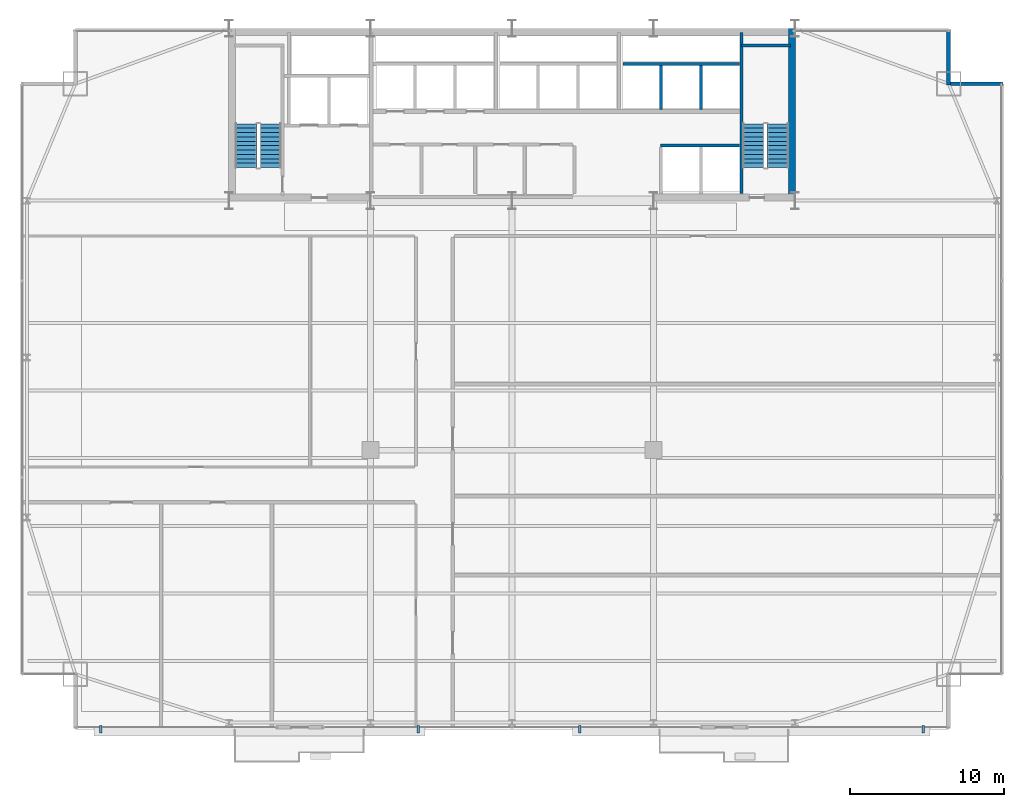
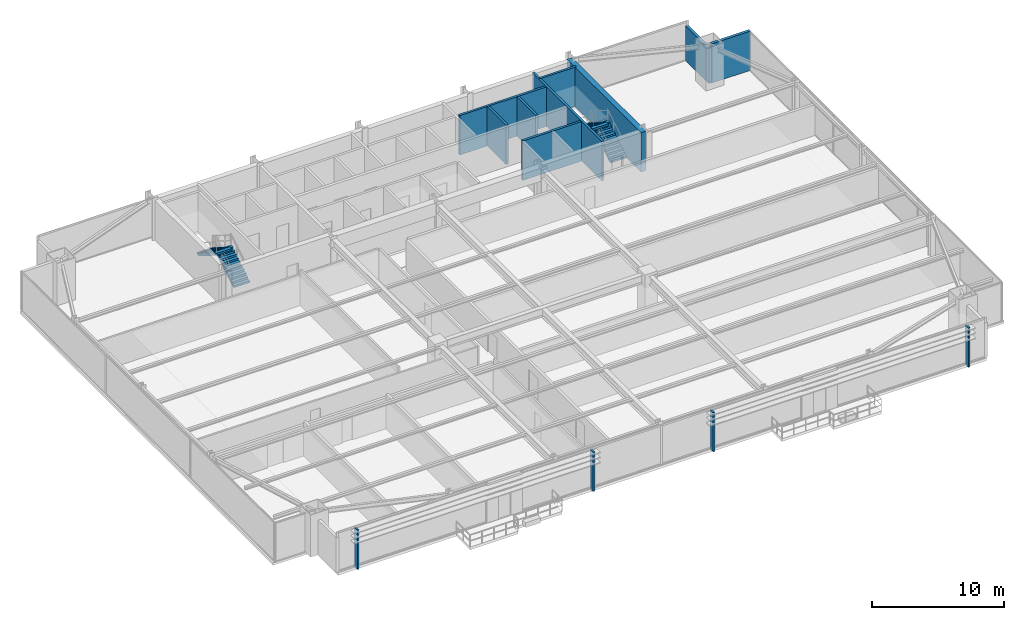
# One storey, part 27 of 29: 9 walls, 4 discrete accessories, 4 stair flights, 2 elements without a shape of their own.
"""IFC4 building model written with IfcOpenShell, lengths in metres."""

from ifc_helpers import new_model, si_unit, direction, frame, frame_2d, origin, origin_2d, place, context, subcontext, project, spatial, polyline, rectangle, outline, extrude, source, transform, mapped, material, layer, layer_set, type_object, type_shapes, element, aggregate, save


model = new_model("IFC4")

# Units and contexts
model_context = context("Model", 3, precision=1e-05, world=origin(), true_north=direction((0.0, 1.0)))
body_context = subcontext(model_context, "Body", "Model", "MODEL_VIEW")
ifc_project = project(units=[si_unit("LENGTHUNIT", "METRE"), si_unit("AREAUNIT", "SQUARE_METRE"), si_unit("VOLUMEUNIT", "CUBIC_METRE"), si_unit("PLANEANGLEUNIT", "RADIAN"), si_unit("MASSUNIT", "GRAM", prefix="KILO")], contexts=[model_context])

# Site, building, storey
site_placement = place(None, origin())
site = spatial("IfcSite", under=ifc_project, at=site_placement, CompositionType="ELEMENT")
building_placement = place(site_placement, origin())
building = spatial("IfcBuilding", under=site, at=building_placement, Name="Varnel Quay Broadcast Tower", CompositionType="ELEMENT")
storey_placement = place(building_placement, frame((0.0, 0.0, 74.39990234375)))
storey = spatial("IfcBuildingStorey", under=building, at=storey_placement, Name="L17", CompositionType="ELEMENT", Elevation=74.39990234375)

# Walls
ifc_material_1 = material(Name="Concrete CSA A23.3 C50/60", Category="concrete")
ifc_layer_1 = layer(ifc_material_1, 0.199951171875, Name="Concrete CSA A23.3 C50/60")
ifc_layer_set_1 = layer_set([ifc_layer_1], Name="Concrete CSA A23.3 C50/60")
wall_type_1 = type_object("IfcWallType", Name="Wall_CoreShaftShear200", PredefinedType="SHEAR", material=ifc_layer_set_1)
wall_1_placement = place(storey_placement, frame((48.919921875, 36.050048828125, 0.0), z_axis=(0.0, 0.0, 1.0), x_axis=(0.0, 1.0, 0.0)))
element("IfcWall", 1, at=wall_1_placement, inside=storey, type_object=wall_type_1, Name="L17 Stair 2 West Structural Wall", PredefinedType="SHEAR", context=body_context, shape_type="SweptSolid", body=[
    extrude(rectangle(XDim=10.5, YDim=0.199951171875, at=frame_2d((5.25, 0.0))), origin(), (0.0, 0.0, 1.0), 3.650146484375),
])
wall_2_placement = place(storey_placement, frame((48.919921875, 45.679931640625, 0.0), z_axis=(0.0, 0.0, 1.0), x_axis=(1.0, 0.0, 0.0)))
element("IfcWall", 2, at=wall_2_placement, inside=storey, type_object=wall_type_1, Name="L17 Stair 2 North Structural Wall", PredefinedType="SHEAR", context=body_context, shape_type="SweptSolid", body=[
    extrude(rectangle(XDim=3.18017578125, YDim=0.199951171875, at=frame_2d((1.590087890625, 0.0))), origin(), (0.0, 0.0, 1.0), 3.650146484375),
])
wall_3_placement = place(storey_placement, frame((41.219970703125, 44.5, 0.0), z_axis=(0.0, 0.0, 1.0), x_axis=(1.0, 0.0, 0.0)))
element("IfcWall", 3, at=wall_3_placement, inside=storey, type_object=wall_type_1, Name="L17 High-Rise Lift Shaft Rear Wall", PredefinedType="SHEAR", context=body_context, shape_type="SweptSolid", body=[
    extrude(rectangle(XDim=7.580078125, YDim=0.199951171875, at=frame_2d((3.7900390625, 0.0))), origin(), (0.0, 0.0, 1.0), 3.650146484375),
])
for number, where, z_axis, x_axis, name in (
    (4, (43.699951171875, 41.530029296875, 0.0), (0.0, 0.0, 1.0), (0.0, 1.0, 0.0), "L17 High-Rise Lift Shaft Divider 2"),
    (5, (46.300048828125, 41.530029296875, 0.0), (0.0, 0.0, 1.0), (0.0, 1.0, 0.0), "L17 High-Rise Lift Shaft Divider 3"),
):
    element("IfcWall", number, at=place(storey_placement, frame(where, z_axis=z_axis, x_axis=x_axis)), inside=storey, type_object=wall_type_1, Name=name, PredefinedType="SHEAR", context=body_context, shape_type="SweptSolid", body=[
        extrude(rectangle(XDim=2.869873046875, YDim=0.199951171875, at=frame_2d((1.43505859375, 0.0))), origin(), (0.0, 0.0, 1.0), 3.650146484375),
    ])
wall_4_placement = place(storey_placement, frame((43.64990234375, 39.199951171875, 0.0), z_axis=(0.0, 0.0, 1.0), x_axis=(1.0, 0.0, 0.0)))
element("IfcWall", 6, at=wall_4_placement, inside=storey, type_object=wall_type_1, Name="L17 Express Lift Shaft North Front Wall", PredefinedType="SHEAR", context=body_context, shape_type="SweptSolid", body=[
    extrude(rectangle(XDim=5.150146484375, YDim=0.199951171875, at=frame_2d((2.5751953125, 0.0))), origin(), (0.0, 0.0, 1.0), 3.650146484375),
])
ifc_material_2 = material(Name="Concrete CSA A23.3 C60/75", Category="concrete")
ifc_layer_2 = layer(ifc_material_2, 0.449951171875, Name="Concrete CSA A23.3 C60/75")
ifc_layer_set_2 = layer_set([ifc_layer_2], Name="Concrete CSA A23.3 C60/75")
wall_type_2 = type_object("IfcWallType", Name="Wall_CoreShearInt450", PredefinedType="SHEAR", material=ifc_layer_set_2)
wall_5_placement = place(storey_placement, frame((52.205078125, 35.570068359375, 0.0), z_axis=(0.0, 0.0, 1.0), x_axis=(0.0, 1.0, 0.0)))
element("IfcWall", 7, at=wall_5_placement, inside=storey, type_object=wall_type_2, Name="L17 East Core Shear Wall", PredefinedType="SHEAR", context=body_context, shape_type="SweptSolid", body=[
    extrude(rectangle(XDim=11.22998046875, YDim=0.449951171875, at=frame_2d((5.614990234375, 0.0))), origin(), (0.0, 0.0, 1.0), 3.650146484375),
])
ifc_material_3 = material(Name="Precast Architectural Concrete C40/50", Category="concrete")
ifc_layer_3 = layer(ifc_material_3, 0.25, Name="Precast Architectural Concrete C40/50")
ifc_layer_set_3 = layer_set([ifc_layer_3], Name="Precast Architectural Concrete C40/50")
wall_type_3 = type_object("IfcWallType", Name="Wall_ExtTerrace250", PredefinedType="SOLIDWALL", material=ifc_layer_set_3)
wall_6_placement = place(storey_placement, frame((62.530029296875, 43.199951171875, 0.0), z_axis=(0.0, 0.0, 1.0), x_axis=(1.0, 0.0, 0.0)))
element("IfcWall", 8, at=wall_6_placement, inside=storey, type_object=wall_type_3, Name="L17 Mega-Column Notch Cladding Wall NNE1", PredefinedType="SOLIDWALL", context=body_context, shape_type="SweptSolid", body=[
    extrude(rectangle(XDim=3.389892578125, YDim=0.25, at=frame_2d((1.69482421875, 0.0))), origin(), (0.0, 0.0, 1.0), 3.630126953125),
])
wall_7_placement = place(storey_placement, frame((62.39990234375, 43.1201171875, 0.0), z_axis=(0.0, 0.0, 1.0), x_axis=(0.0, 1.0, 0.0)))
element("IfcWall", 9, at=wall_7_placement, inside=storey, type_object=wall_type_3, Name="L17 Mega-Column Notch Cladding Wall NNE2", PredefinedType="SOLIDWALL", context=body_context, shape_type="SweptSolid", body=[
    extrude(rectangle(XDim=3.599853515625, YDim=0.25, at=frame_2d((1.7998046875, 0.0))), origin(), (0.0, 0.0, 1.0), 3.2080078125),
])

# Stair, stair flights
ifc_material_4 = material(Name="Precast Structural Concrete C40/50", Category="concrete")
stair_type_1 = type_object("IfcStairType", Name="Stair_ST-01", PredefinedType="HALF_TURN_STAIR", material=ifc_material_4)
stair_1_placement = place(storey_placement, origin())
stair_1 = element("IfcStair", 10, at=stair_1_placement, inside=storey, type_object=stair_type_1, Name="L17 West Core Exit Stair 1", PredefinedType="HALF_TURN_STAIR")
stair_flight_type_1 = type_object("IfcStairFlightType", Name="Flight_ST-01", PredefinedType="STRAIGHT", material=ifc_material_4)
stair_flight_1_placement = place(storey_placement, frame((18.300048828125, 37.75, 0.0), z_axis=(0.0, 0.0, 1.0), x_axis=(0.0, 1.0, 0.0)))
stair_flight_1 = element("IfcStairFlight", 11, at=stair_flight_1_placement, type_object=stair_flight_type_1, Name="ST-01 flight 1", NumberOfRisers=11, NumberOfTreads=10, PredefinedType="STRAIGHT", RiserHeight=0.177272727, TreadLength=0.285, context=body_context, shape_type="SweptSolid", body=[
    extrude(outline(polyline([(0.0, 0.0), (0.0, 0.17724609375), (0.284912109375, 0.17724609375), (0.284912109375, 0.3544921875), (0.570068359375, 0.3544921875), (0.570068359375, 0.53173828125), (0.85498046875, 0.53173828125), (0.85498046875, 0.708984375), (1.139892578125, 0.708984375), (1.139892578125, 0.886474609375), (1.425048828125, 0.886474609375), (1.425048828125, 1.063720703125), (1.7099609375, 1.063720703125), (1.7099609375, 1.240966796875), (1.9951171875, 1.240966796875), (1.9951171875, 1.418212890625), (2.280029296875, 1.418212890625), (2.280029296875, 1.595458984375), (2.56494140625, 1.595458984375), (2.56494140625, 1.772705078125), (2.85009765625, 1.772705078125), (2.85009765625, 1.949951171875), (2.85009765625, 1.59619140625), (0.283935546875, 0.0), (0.0, 0.0)])), frame((0.0, 0.699951171875, 0.0), z_axis=(0.0, -1.0, 0.0), x_axis=(1.0, 0.0, 0.0)), (0.0, 0.0, 1.0), 1.39990234375),
])
stair_flight_2_placement = place(storey_placement, frame((16.699951171875, 40.60009765625, 1.9501953125), z_axis=(0.0, 0.0, 1.0), x_axis=(0.0, -1.0, 0.0)))
stair_flight_2 = element("IfcStairFlight", 12, at=stair_flight_2_placement, type_object=stair_flight_type_1, Name="ST-01 flight 2", NumberOfRisers=11, NumberOfTreads=10, PredefinedType="STRAIGHT", RiserHeight=0.177272727, TreadLength=0.285, context=body_context, shape_type="SweptSolid", body=[
    extrude(outline(polyline([(0.0, 0.0), (0.0, 0.17724609375), (0.284912109375, 0.17724609375), (0.284912109375, 0.3544921875), (0.570068359375, 0.3544921875), (0.570068359375, 0.53173828125), (0.85498046875, 0.53173828125), (0.85498046875, 0.708984375), (1.139892578125, 0.708984375), (1.139892578125, 0.886474609375), (1.425048828125, 0.886474609375), (1.425048828125, 1.063720703125), (1.7099609375, 1.063720703125), (1.7099609375, 1.240966796875), (1.9951171875, 1.240966796875), (1.9951171875, 1.418212890625), (2.280029296875, 1.418212890625), (2.280029296875, 1.595458984375), (2.56494140625, 1.595458984375), (2.56494140625, 1.772705078125), (2.85009765625, 1.772705078125), (2.85009765625, 1.949951171875), (2.85009765625, 1.59619140625), (0.283935546875, 0.0), (0.0, 0.0)])), frame((0.0, 0.699951171875, 0.0), z_axis=(0.0, -1.0, 0.0), x_axis=(1.0, 0.0, 0.0)), (0.0, 0.0, 1.0), 1.39990234375),
])
aggregate(stair_1, [stair_flight_1, stair_flight_2])

stair_type_2 = type_object("IfcStairType", Name="Stair_ST-02", PredefinedType="HALF_TURN_STAIR", material=ifc_material_4)
stair_2_placement = place(storey_placement, origin())
stair_2 = element("IfcStair", 13, at=stair_2_placement, inside=storey, type_object=stair_type_2, Name="L17 East Core Exit Stair 2", PredefinedType="HALF_TURN_STAIR")
stair_flight_type_2 = type_object("IfcStairFlightType", Name="Flight_ST-02", PredefinedType="STRAIGHT", material=ifc_material_4)
stair_flight_3_placement = place(storey_placement, frame((51.300048828125, 37.75, 0.0), z_axis=(0.0, 0.0, 1.0), x_axis=(0.0, 1.0, 0.0)))
stair_flight_3 = element("IfcStairFlight", 14, at=stair_flight_3_placement, type_object=stair_flight_type_2, Name="ST-02 flight 1", NumberOfRisers=11, NumberOfTreads=10, PredefinedType="STRAIGHT", RiserHeight=0.177272727, TreadLength=0.285, context=body_context, shape_type="SweptSolid", body=[
    extrude(outline(polyline([(0.0, 0.0), (0.0, 0.17724609375), (0.284912109375, 0.17724609375), (0.284912109375, 0.3544921875), (0.570068359375, 0.3544921875), (0.570068359375, 0.53173828125), (0.85498046875, 0.53173828125), (0.85498046875, 0.708984375), (1.139892578125, 0.708984375), (1.139892578125, 0.886474609375), (1.425048828125, 0.886474609375), (1.425048828125, 1.063720703125), (1.7099609375, 1.063720703125), (1.7099609375, 1.240966796875), (1.9951171875, 1.240966796875), (1.9951171875, 1.418212890625), (2.280029296875, 1.418212890625), (2.280029296875, 1.595458984375), (2.56494140625, 1.595458984375), (2.56494140625, 1.772705078125), (2.85009765625, 1.772705078125), (2.85009765625, 1.949951171875), (2.85009765625, 1.59619140625), (0.283935546875, 0.0), (0.0, 0.0)])), frame((0.0, 0.699951171875, 0.0), z_axis=(0.0, -1.0, 0.0), x_axis=(1.0, 0.0, 0.0)), (0.0, 0.0, 1.0), 1.39990234375),
])
stair_flight_4_placement = place(storey_placement, frame((49.699951171875, 40.60009765625, 1.9501953125), z_axis=(0.0, 0.0, 1.0), x_axis=(0.0, -1.0, 0.0)))
stair_flight_4 = element("IfcStairFlight", 15, at=stair_flight_4_placement, type_object=stair_flight_type_2, Name="ST-02 flight 2", NumberOfRisers=11, NumberOfTreads=10, PredefinedType="STRAIGHT", RiserHeight=0.177272727, TreadLength=0.285, context=body_context, shape_type="SweptSolid", body=[
    extrude(outline(polyline([(0.0, 0.0), (0.0, 0.17724609375), (0.284912109375, 0.17724609375), (0.284912109375, 0.3544921875), (0.570068359375, 0.3544921875), (0.570068359375, 0.53173828125), (0.85498046875, 0.53173828125), (0.85498046875, 0.708984375), (1.139892578125, 0.708984375), (1.139892578125, 0.886474609375), (1.425048828125, 0.886474609375), (1.425048828125, 1.063720703125), (1.7099609375, 1.063720703125), (1.7099609375, 1.240966796875), (1.9951171875, 1.240966796875), (1.9951171875, 1.418212890625), (2.280029296875, 1.418212890625), (2.280029296875, 1.595458984375), (2.56494140625, 1.595458984375), (2.56494140625, 1.772705078125), (2.85009765625, 1.772705078125), (2.85009765625, 1.949951171875), (2.85009765625, 1.59619140625), (0.283935546875, 0.0), (0.0, 0.0)])), frame((0.0, 0.699951171875, 0.0), z_axis=(0.0, -1.0, 0.0), x_axis=(1.0, 0.0, 0.0)), (0.0, 0.0, 1.0), 1.39990234375),
])
aggregate(stair_2, [stair_flight_3, stair_flight_4])

# Discrete accessories
ifc_material_5 = material(Name="Anodised Bronze Aluminium 6063-T6", Category="aluminium")
ifc_layer_4 = layer(ifc_material_5, 0.47998046875, Name="Anodised Bronze Aluminium 6063-T6")
ifc_layer_set_4 = layer_set([ifc_layer_4], Name="Anodised Bronze Aluminium 6063-T6")
discrete_accessory_type = type_object("IfcDiscreteAccessoryType", Name="Acc_FacadeBracket", PredefinedType="BRACKET", material=ifc_layer_set_4)
shared_shape = source(origin(), body_context, "Body", "SweptSolid", [
    extrude(rectangle(XDim=0.159912109375, YDim=0.47998046875, at=origin_2d()), origin(), (0.0, 0.0, 1.0), 3.64990234375),
])
type_shapes(discrete_accessory_type, [shared_shape])
for number, where, z_axis, x_axis, name in (
    (16, (7.25, 1.219970703125, -0.14990234375), (0.0, 0.0, 1.0), (1.0, 0.0, 0.0), "L17 Lobe 1 Louvre Support Bracket 1"),
    (17, (27.89404296875, 1.219970703125, -0.14990234375), (0.0, 0.0, 1.0), (1.0, 0.0, 0.0), "L17 Lobe 1 Louvre Support Bracket 2"),
    (18, (38.39404296875, 1.219970703125, -0.14990234375), (0.0, 0.0, 1.0), (1.0, 0.0, 0.0), "L17 Lobe 2 Louvre Support Bracket 1"),
    (19, (60.75, 1.219970703125, -0.14990234375), (0.0, 0.0, 1.0), (1.0, 0.0, 0.0), "L17 Lobe 2 Louvre Support Bracket 2"),
):
    element("IfcDiscreteAccessory", number, at=place(storey_placement, frame(where, z_axis=z_axis, x_axis=x_axis)), inside=storey, type_object=discrete_accessory_type, Name=name, PredefinedType="BRACKET", context=body_context, shape_type="MappedRepresentation", body=[
        mapped(shared_shape, transform((0.0, 0.0, 0.0), x_axis=(1.0, 0.0, 0.0), y_axis=(0.0, 1.0, 0.0), z_axis=(0.0, 0.0, 1.0), scale=1.0)),
    ])

save(model, "model.ifc")
